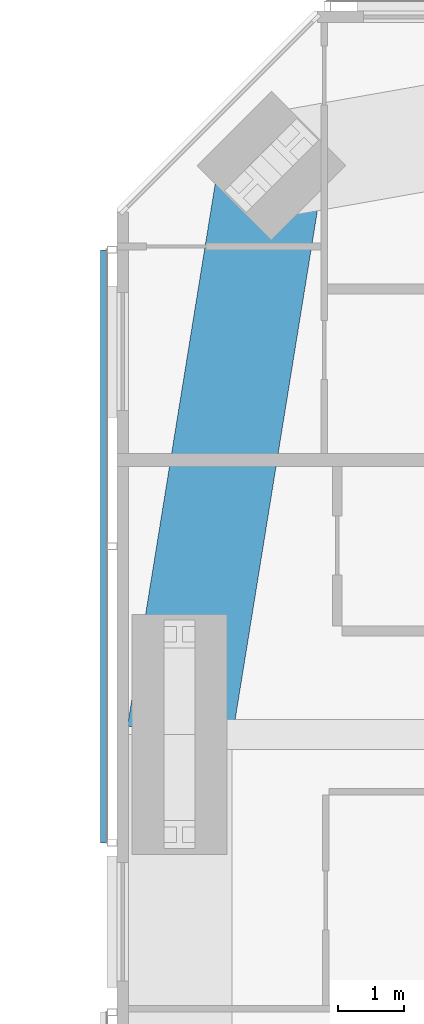
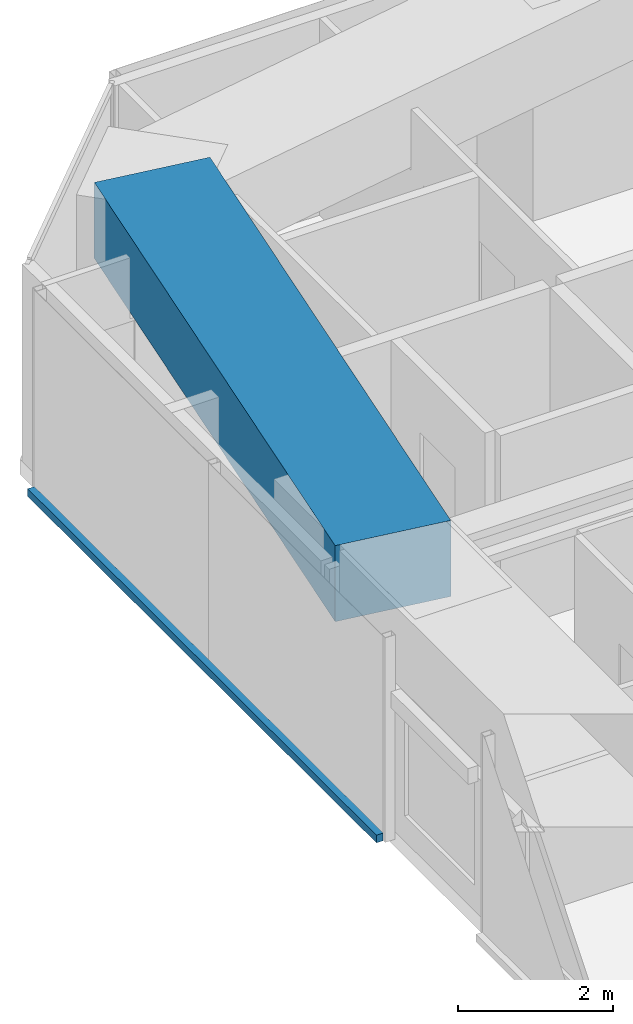
# One storey, part 6 of 23: 1 beam, 1 member, 1 element without a shape of its own.
"""IFC4 building model written with IfcOpenShell, lengths in metres."""

import ifcopenshell
import ifcopenshell.guid

model = None  # the IFC model being written
_history = None  # IfcOwnerHistory: only IFC2X3 demands one
_inside = {}  # id of a spatial element -> (the spatial element, [elements in it])
_under = {}  # id of a project, library or spatial element -> (it, [spatial elements below it])
_declared = {}  # id of a project -> (the project, [libraries it declares])
_typed = {}  # id of a type object -> (the type object, [elements of that type])
_made_of = {}  # id of a material, layer set ... -> (it, [elements and type objects made of it])


def new_model(schema):
    """Start an empty IFC model of exactly this schema.

    Asked for "IFC4X3", IfcOpenShell would pick the latest addendum, in which some entities
    have other attributes; the version numbers below select the first issue.
    IFC2X3 requires an IfcOwnerHistory on every rooted entity: one is made here for all.
    """
    global model, _history
    if schema == "IFC4X3":
        model = ifcopenshell.file(schema_version=(4, 3, 0, 0))
    else:
        model = ifcopenshell.file(schema=schema)
    _inside.clear()
    _under.clear()
    _declared.clear()
    _typed.clear()
    _made_of.clear()
    _history = None
    if model.schema == "IFC2X3":
        org = make("IfcOrganization", Name="unknown")
        user = make(
            "IfcPersonAndOrganization",
            ThePerson=make("IfcPerson", FamilyName="unknown"),
            TheOrganization=org,
        )
        app = make(
            "IfcApplication",
            ApplicationDeveloper=org,
            Version="unknown",
            ApplicationFullName="unknown",
            ApplicationIdentifier="unknown",
        )
        _history = make(
            "IfcOwnerHistory",
            OwningUser=user,
            OwningApplication=app,
            ChangeAction="ADDED",
            CreationDate=0,
        )
    return model


def make(cls, **values):
    """One entity of the class cls with the attributes given. An attribute that is None is left unset."""
    return model.create_entity(
        cls, **{name: value for name, value in values.items() if value is not None}
    )


def rooted(cls, **values):
    """An entity with a GlobalId (a new one), such as an element, a storey or a relation."""
    return make(cls, GlobalId=ifcopenshell.guid.new(), OwnerHistory=_history, **values)


def si_unit(unit_type, name, prefix=None):
    """IfcSIUnit, for example si_unit("LENGTHUNIT", "METRE", prefix="MILLI")."""
    return make("IfcSIUnit", UnitType=unit_type, Prefix=prefix, Name=name)


def assignment(units):
    """IfcUnitAssignment: the units of a project."""
    return None if units is None else make("IfcUnitAssignment", Units=units)


def point(xyz):
    """IfcCartesianPoint."""
    return None if xyz is None else make("IfcCartesianPoint", Coordinates=xyz)


def direction(xyz):
    """IfcDirection."""
    return None if xyz is None else make("IfcDirection", DirectionRatios=xyz)


def frame(location, z_axis=None, x_axis=None):
    """IfcAxis2Placement3D, a coordinate frame: its origin and axes. An axis left out is left unset."""
    return make(
        "IfcAxis2Placement3D",
        Location=point(location),
        Axis=direction(z_axis),
        RefDirection=direction(x_axis),
    )


def frame_2d(location, x_axis=None):
    """IfcAxis2Placement2D, a coordinate frame in the plane: its origin and x axis."""
    return make(
        "IfcAxis2Placement2D", Location=point(location), RefDirection=direction(x_axis)
    )


def origin():
    """The frame at (0, 0, 0) with its axes left unset."""
    return frame((0.0, 0.0, 0.0))


def origin_2d():
    """The frame at (0, 0) in the plane with its x axis left unset."""
    return frame_2d((0.0, 0.0))


def place(relative_to, where):
    """IfcLocalPlacement: puts the frame where relative to a parent placement (None: the world)."""
    return make(
        "IfcLocalPlacement", PlacementRelTo=relative_to, RelativePlacement=where
    )


def context(
    kind, dimensions, precision=None, world=None, true_north=None, identifier=None
):
    """IfcGeometricRepresentationContext, for example the 3D "Model" context."""
    return make(
        "IfcGeometricRepresentationContext",
        ContextIdentifier=identifier,
        ContextType=kind,
        CoordinateSpaceDimension=dimensions,
        Precision=precision,
        WorldCoordinateSystem=world,
        TrueNorth=true_north,
    )


def subcontext(parent, identifier, kind, view, scale=None):
    """IfcGeometricRepresentationSubContext, for example "Body" below "Model"."""
    return make(
        "IfcGeometricRepresentationSubContext",
        ContextIdentifier=identifier,
        ContextType=kind,
        ParentContext=parent,
        TargetScale=scale,
        TargetView=view,
    )


def project(units=None, contexts=None):
    """IfcProject with its units and contexts."""
    return rooted(
        "IfcProject",
        Name="project",
        RepresentationContexts=contexts,
        UnitsInContext=assignment(units),
    )


def spatial(cls, under=None, at=None, **own):
    """A site, building, storey or space (cls), placed at a placement, below another one or the project."""
    s = rooted(cls, ObjectPlacement=at, **own)
    if under is not None:
        _under.setdefault(under.id(), (under, []))[1].append(s)
    return s


def profile(cls, at=None, kind="AREA", **sizes):
    """A parametric profile (cls). Its sizes go by their IFC names, for example OverallWidth=200.0."""
    return make(cls, ProfileType=kind, Position=at, **sizes)


def rectangle(**sizes):
    """IfcRectangleProfileDef."""
    return profile("IfcRectangleProfileDef", **sizes)


def extrude(swept, where, along, depth):
    """IfcExtrudedAreaSolid: the profile swept, set in the frame where, extruded along a direction by depth."""
    return make(
        "IfcExtrudedAreaSolid",
        SweptArea=swept,
        Position=where,
        ExtrudedDirection=direction(along),
        Depth=depth,
    )


def shape(context_of_items, identifier, shape_type, items):
    """IfcShapeRepresentation: the items that make up one representation, for example the "Body"."""
    return make(
        "IfcShapeRepresentation",
        ContextOfItems=context_of_items,
        RepresentationIdentifier=identifier,
        RepresentationType=shape_type,
        Items=items,
    )


def material(Name=None, Category=None):
    """IfcMaterial."""
    return make("IfcMaterial", Name=Name, Category=Category)


def material_profile(
    of_material, cross_section, Name=None, Category=None, Priority=None
):
    """IfcMaterialProfile: a cross section and its material."""
    return make(
        "IfcMaterialProfile",
        Name=Name,
        Material=of_material,
        Profile=cross_section,
        Priority=Priority,
        Category=Category,
    )


def profile_set(profiles, Name=None, composite=None):
    """IfcMaterialProfileSet."""
    return make(
        "IfcMaterialProfileSet",
        Name=Name,
        MaterialProfiles=profiles,
        CompositeProfile=composite,
    )


def made_of(thing, what):
    """Note that an element or type object is made of a material, layer set ...; save() writes the relation."""
    if what is not None:
        _made_of.setdefault(what.id(), (what, []))[1].append(thing)
    return thing


def type_object(cls, material=None, **own):
    """A type object (cls), such as IfcWallType, which elements share."""
    return made_of(rooted(cls, **own), material)


def element(
    cls,
    number,
    at=None,
    inside=None,
    cuts=None,
    type_object=None,
    material=None,
    context=None,
    identifier="Body",
    shape_type=None,
    held_by="IfcProductDefinitionShape",
    body=None,
    shapes=None,
    **own,
):
    """One element of the class cls, such as IfcWall. Its Tag is "e" and its number.

    at: its placement. inside: the storey or other place that contains it. cuts: it is an
    opening in that element (IfcRelVoidsElement). A single representation is given by context,
    identifier, shape_type and body (its items); several are given by shapes. held_by: the class
    of the entity that holds the representations. save() writes the other relations.
    """
    e = rooted(cls, Tag="e%d" % number, ObjectPlacement=at, **own)
    if body is not None:
        shapes = [shape(context, identifier, shape_type, body)]
    if shapes is not None:
        e.Representation = make(held_by, Representations=shapes)
    if inside is not None:
        _inside.setdefault(inside.id(), (inside, []))[1].append(e)
    if cuts is not None:
        rooted(
            "IfcRelVoidsElement", RelatingBuildingElement=cuts, RelatedOpeningElement=e
        )
    if type_object is not None:
        _typed.setdefault(type_object.id(), (type_object, []))[1].append(e)
    return made_of(e, material)


def aggregate(whole, parts):
    """IfcRelAggregates: a whole, such as a stair, and the parts it consists of."""
    return rooted("IfcRelAggregates", RelatingObject=whole, RelatedObjects=parts)


def save(model, path):
    """Write the relations noted so far, then the file.

    IfcRelAggregates (storeys below a building ...), IfcRelContainedInSpatialStructure (elements
    in a storey), IfcRelDefinesByType, IfcRelAssociatesMaterial and IfcRelDeclares: one each for
    every whole, place, type object, material and project.
    """
    for whole, parts in _under.values():
        aggregate(whole, parts)
    for where, things in _inside.values():
        rooted(
            "IfcRelContainedInSpatialStructure",
            RelatedElements=things,
            RelatingStructure=where,
        )
    for kind, things in _typed.values():
        rooted("IfcRelDefinesByType", RelatedObjects=things, RelatingType=kind)
    for what, things in _made_of.values():
        rooted("IfcRelAssociatesMaterial", RelatedObjects=things, RelatingMaterial=what)
    for by, libraries in _declared.values():
        rooted("IfcRelDeclares", RelatingContext=by, RelatedDefinitions=libraries)
    model.write(path)


model = new_model("IFC4")

# Units and contexts
model_context = context("Model", 3, precision=1e-05, world=origin(), true_north=direction((0.0, 1.0)))
body_context = subcontext(model_context, "Body", "Model", "MODEL_VIEW")
ifc_project = project(units=[si_unit("LENGTHUNIT", "METRE"), si_unit("AREAUNIT", "SQUARE_METRE"), si_unit("VOLUMEUNIT", "CUBIC_METRE"), si_unit("PLANEANGLEUNIT", "RADIAN"), si_unit("MASSUNIT", "GRAM", prefix="KILO")], contexts=[model_context])

# Site, building, storey
site_placement = place(None, origin())
site = spatial("IfcSite", under=ifc_project, at=site_placement, CompositionType="ELEMENT")
building_placement = place(site_placement, origin())
building = spatial("IfcBuilding", under=site, at=building_placement, Name="Jalousie Tower", CompositionType="ELEMENT")
storey_placement = place(building_placement, frame((0.0, 0.0, 197.89990234375)))
storey = spatial("IfcBuildingStorey", under=building, at=storey_placement, Name="L54", CompositionType="ELEMENT", Elevation=197.89990234375)

# Beam
ifc_material_1 = material(Name="Concrete f'c 40 MPa", Category="concrete")
ifc_material_profile_1 = material_profile(ifc_material_1, rectangle(XDim=1.60009765625, YDim=1.199951171875, at=origin_2d()), Name="RC 1600x1200")
ifc_profile_set_1 = profile_set([ifc_material_profile_1], Name="Concrete f'c 40 MPa")
beam_type = type_object("IfcBeamType", Name="RC BEAM 1600x1200", PredefinedType="BEAM", material=ifc_profile_set_1)
beam_placement = place(storey_placement, frame((14.348388671875, 33.651611328125, 2.75), z_axis=(-0.159567878256, -0.987186959106, 0.0), x_axis=(0.987186959106, -0.159567878256, 0.0)))
element("IfcBeam", 1, at=beam_placement, inside=storey, type_object=beam_type, Name="Edge band beam 12-13 under L55", PredefinedType="BEAM", context=body_context, shape_type="SweptSolid", body=[
    extrude(rectangle(XDim=1.60009765625, YDim=1.199951171875, at=origin_2d()), origin(), (0.0, 0.0, 1.0), 8.763916015625),
])

# Curtain wall, member
ifc_material_2 = material(Name="Perforated aluminium sheet", Category="aluminium")
curtain_wall_type = type_object("IfcCurtainWallType", Name="SOLAR SCREEN SS-1", PredefinedType="USERDEFINED", material=ifc_material_2)
curtain_wall_placement = place(storey_placement, origin())
curtain_wall = element("IfcCurtainWall", 2, at=curtain_wall_placement, inside=storey, type_object=curtain_wall_type, Name="Solar screen L54", ObjectType="SOLAR SCREEN SS-1", PredefinedType="USERDEFINED")
ifc_material_3 = material(Name="Extruded aluminium screen rail", Category="aluminium")
ifc_material_profile_2 = material_profile(ifc_material_3, rectangle(XDim=0.1015625, YDim=0.1201171875, at=origin_2d()), Name="RAIL 102x120")
ifc_profile_set_2 = profile_set([ifc_material_profile_2], Name="Extruded aluminium screen rail")
member_type = type_object("IfcMemberType", Name="SOLAR SCREEN SS-1 TRANSOM", PredefinedType="USERDEFINED", material=ifc_profile_set_2)
member_placement = place(storey_placement, frame((11.8017578125, 32.3701171875, -0.059814453125), z_axis=(0.0, -1.0, 0.0), x_axis=(1.0, 0.0, 0.0)))
member = element("IfcMember", 3, at=member_placement, type_object=member_type, Name="SS1 rail", ObjectType="TRANSOM", PredefinedType="USERDEFINED", context=body_context, shape_type="SweptSolid", body=[
    extrude(rectangle(XDim=0.1015625, YDim=0.1201171875, at=origin_2d()), origin(), (0.0, 0.0, 1.0), 9.02001953125),
])
aggregate(curtain_wall, [member])

save(model, "model.ifc")
